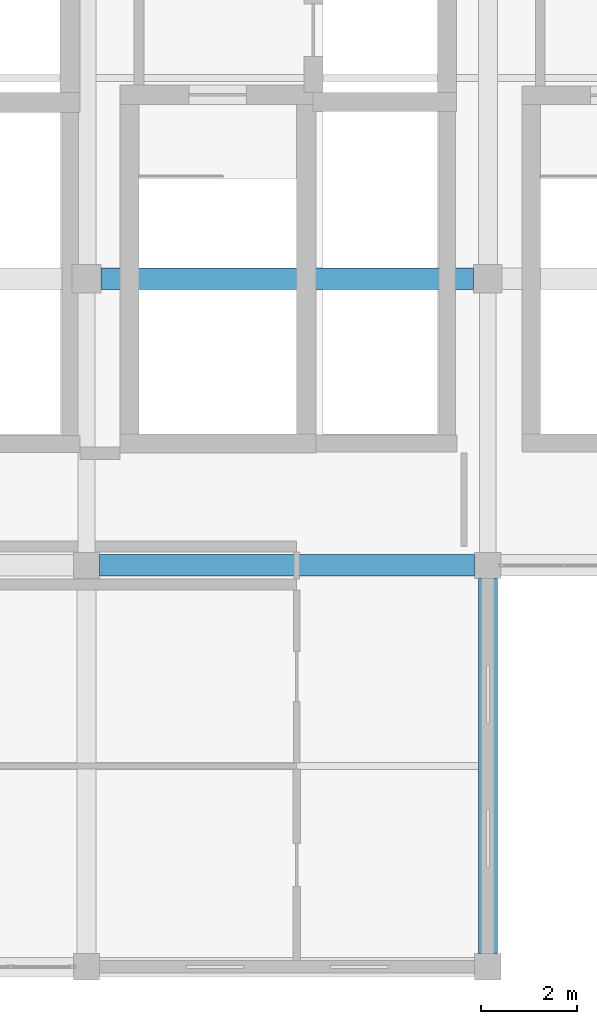
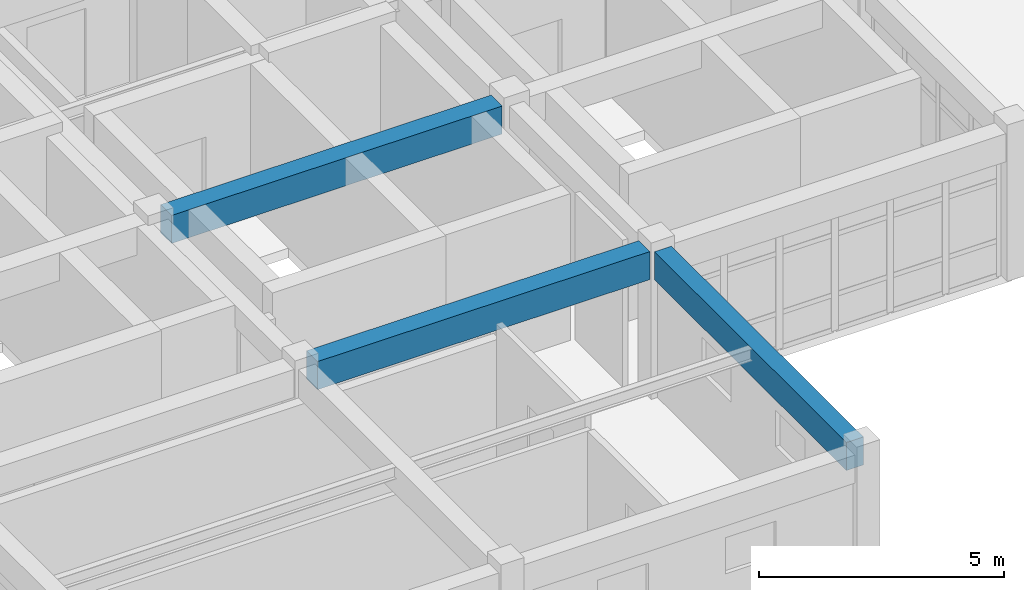
# One storey, part 5 of 17: 3 beams.
"""IFC4 building model written with IfcOpenShell, lengths in metres."""

from ifc_helpers import new_model, si_unit, direction, frame, origin, origin_2d, place, context, subcontext, project, spatial, rectangle, extrude, material, material_profile, profile_set, type_object, element, save


model = new_model("IFC4")

# Units and contexts
model_context = context("Model", 3, precision=1e-05, world=origin(), true_north=direction((0.0, 1.0)))
body_context = subcontext(model_context, "Body", "Model", "MODEL_VIEW")
ifc_project = project(units=[si_unit("LENGTHUNIT", "METRE"), si_unit("AREAUNIT", "SQUARE_METRE"), si_unit("VOLUMEUNIT", "CUBIC_METRE"), si_unit("PLANEANGLEUNIT", "RADIAN"), si_unit("MASSUNIT", "GRAM", prefix="KILO")], contexts=[model_context])

# Site, building, storey
site_placement = place(None, origin())
site = spatial("IfcSite", under=ifc_project, at=site_placement, CompositionType="ELEMENT")
building_placement = place(site_placement, origin())
building = spatial("IfcBuilding", under=site, at=building_placement, Name="Krzemoval Escarpment Law Courts", CompositionType="ELEMENT")
storey_placement = place(building_placement, frame((0.0, 0.0, 42.0)))
storey = spatial("IfcBuildingStorey", under=building, at=storey_placement, Name="L09", CompositionType="ELEMENT", Elevation=42.0)

# Beams
ifc_material_1 = material(Name="Concrete C40/50", Category="concrete")
ifc_material_profile_1 = material_profile(ifc_material_1, rectangle(XDim=0.39990234375, YDim=0.699951171875, at=origin_2d()), Name="RCB 400x700")
ifc_profile_set_1 = profile_set([ifc_material_profile_1], Name="Concrete C40/50")
beam_type_1 = type_object("IfcBeamType", Name="BM-RC-400x700", PredefinedType="BEAM", material=ifc_profile_set_1)
beam_1_placement = place(storey_placement, frame((142.800048828125, 85.47509765625, 3.31005859375), z_axis=(0.0, 1.0, 0.0), x_axis=(-1.0, 0.0, 0.0)))
element("IfcBeam", 1, at=beam_1_placement, inside=storey, type_object=beam_type_1, Name="Beam FG-L09-2811", PredefinedType="BEAM", context=body_context, shape_type="SweptSolid", body=[
    extrude(rectangle(XDim=0.39990234375, YDim=0.699951171875, at=origin_2d()), origin(), (0.0, 0.0, 1.0), 7.849853515625),
])
ifc_material_2 = material(Name="Concrete C40/50", Category="concrete")
ifc_material_profile_2 = material_profile(ifc_material_2, rectangle(XDim=0.449951171875, YDim=0.699951171875, at=origin_2d()), Name="RCB 450x700")
ifc_profile_set_2 = profile_set([ifc_material_profile_2], Name="Concrete C40/50")
beam_type_2 = type_object("IfcBeamType", Name="BM-RC-450x700", PredefinedType="BEAM", material=ifc_profile_set_2)
beam_2_placement = place(storey_placement, frame((134.675048828125, 93.60009765625, 3.31005859375), z_axis=(1.0, 0.0, 0.0), x_axis=(0.0, 1.0, 0.0)))
element("IfcBeam", 2, at=beam_2_placement, inside=storey, type_object=beam_type_2, Name="Beam FG-L09-2787", PredefinedType="BEAM", context=body_context, shape_type="SweptSolid", body=[
    extrude(rectangle(XDim=0.449951171875, YDim=0.699951171875, at=origin_2d()), origin(), (0.0, 0.0, 1.0), 7.849853515625),
])
beam_3_placement = place(storey_placement, frame((134.699951171875, 99.60009765625, 3.31005859375), z_axis=(1.0, 0.0, 0.0), x_axis=(0.0, 1.0, 0.0)))
element("IfcBeam", 3, at=beam_3_placement, inside=storey, type_object=beam_type_2, Name="Beam FG-L09-2790", PredefinedType="BEAM", context=body_context, shape_type="SweptSolid", body=[
    extrude(rectangle(XDim=0.449951171875, YDim=0.699951171875, at=origin_2d()), origin(), (0.0, 0.0, 1.0), 7.800048828125),
])

save(model, "model.ifc")
